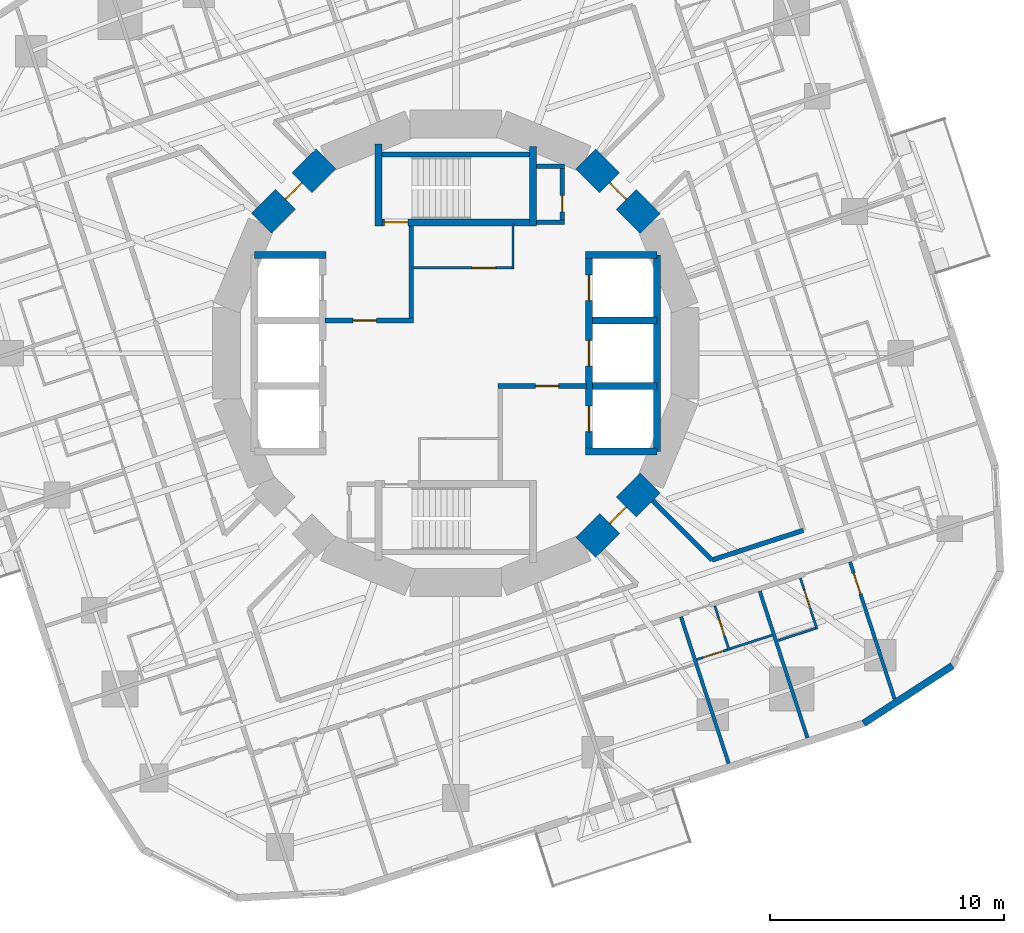
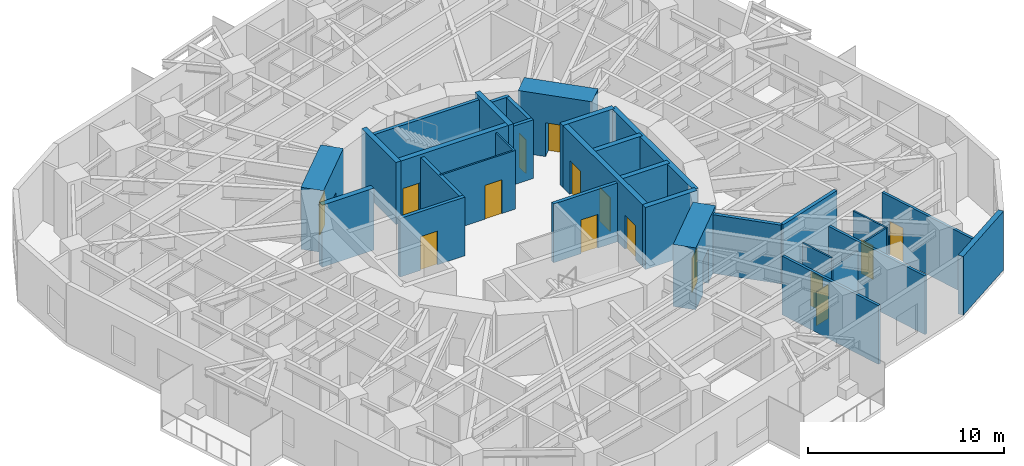
# One storey, part 7 of 13: 33 walls, 15 doors, 15 openings.
"""IFC4 building model written with IfcOpenShell, lengths in metres."""

from ifc_helpers import new_model, si_unit, direction, frame, frame_2d, origin, place, context, subcontext, project, spatial, rectangle, extrude, material, layer, layer_set, type_object, element, fill, save


model = new_model("IFC4")

# Units and contexts
model_context = context("Model", 3, precision=1e-05, world=origin(), true_north=direction((0.0, 1.0)))
body_context = subcontext(model_context, "Body", "Model", "MODEL_VIEW")
ifc_project = project(units=[si_unit("LENGTHUNIT", "METRE"), si_unit("AREAUNIT", "SQUARE_METRE"), si_unit("VOLUMEUNIT", "CUBIC_METRE"), si_unit("PLANEANGLEUNIT", "RADIAN"), si_unit("MASSUNIT", "GRAM", prefix="KILO")], contexts=[model_context])

# Site, building, storey
site_placement = place(None, origin())
site = spatial("IfcSite", under=ifc_project, at=site_placement, CompositionType="ELEMENT")
building_placement = place(site_placement, origin())
building = spatial("IfcBuilding", under=site, at=building_placement, Name="Nakasero Lantern House", CompositionType="ELEMENT")
storey_placement = place(building_placement, frame((0.0, 0.0, 161.050048828125)))
storey = spatial("IfcBuildingStorey", under=building, at=storey_placement, Name="L39", CompositionType="ELEMENT", Elevation=161.050048828125)

# Wall, openings, doors
ifc_material_1 = material(Name="Concrete C50/60", Category="concrete")
ifc_layer_1 = layer(ifc_material_1, 0.300048828125)
ifc_layer_set_1 = layer_set([ifc_layer_1], Name="Core inner wall 300")
wall_type_1 = type_object("IfcWallType", Name="Core inner wall 300", PredefinedType="SHEAR", material=ifc_layer_set_1)
wall_1_placement = place(storey_placement, frame((5.699951171875, -4.199951171875, 0.0), z_axis=(0.0, 0.0, 1.0), x_axis=(0.0, 1.0, 0.0)))
wall_1 = element("IfcWall", 1, at=wall_1_placement, inside=storey, type_object=wall_type_1, Name="Core inner wall L39 LE", PredefinedType="SHEAR", context=body_context, shape_type="SweptSolid", body=[
    extrude(rectangle(XDim=8.39990234375, YDim=0.300048828125, at=frame_2d((4.199951171875, 0.0))), origin(), (0.0, 0.0, 1.0), 3.849853515625),
])
opening_1_placement = place(wall_1_placement, frame((0.85009765625, 0.0, 0.0)))
opening_1 = element("IfcOpeningElement", 2, at=opening_1_placement, cuts=wall_1, Name="Opening LD", PredefinedType="OPENING", context=body_context, shape_type="SweptSolid", body=[
    extrude(rectangle(XDim=1.10009765625, YDim=2.10009765625, at=frame_2d((0.550048828125, 1.050048828125))), frame((0.0, 0.169921875, 0.0), z_axis=(0.0, -1.0, 0.0), x_axis=(1.0, 0.0, 0.0)), (0.0, 0.0, 1.0), 0.340087890625),
])
opening_2_placement = place(wall_1_placement, frame((3.64990234375, 0.0, 0.0)))
opening_2 = element("IfcOpeningElement", 3, at=opening_2_placement, cuts=wall_1, Name="Opening LD", PredefinedType="OPENING", context=body_context, shape_type="SweptSolid", body=[
    extrude(rectangle(XDim=1.10009765625, YDim=2.10009765625, at=frame_2d((0.550048828125, 1.050048828125))), frame((0.0, 0.169921875, 0.0), z_axis=(0.0, -1.0, 0.0), x_axis=(1.0, 0.0, 0.0)), (0.0, 0.0, 1.0), 0.340087890625),
])
opening_3_placement = place(wall_1_placement, frame((6.449951171875, 0.0, 0.0)))
opening_3 = element("IfcOpeningElement", 4, at=opening_3_placement, cuts=wall_1, Name="Opening LD", PredefinedType="OPENING", context=body_context, shape_type="SweptSolid", body=[
    extrude(rectangle(XDim=1.10009765625, YDim=2.10009765625, at=frame_2d((0.550048828125, 1.050048828125))), frame((0.0, 0.169921875, 0.0), z_axis=(0.0, -1.0, 0.0), x_axis=(1.0, 0.0, 0.0)), (0.0, 0.0, 1.0), 0.340087890625),
])
ifc_material_2 = material(Name="Steel S355", Category="steel")
door_type_1 = type_object("IfcDoorType", Name="Lift landing door E120 1100", OperationType="SLIDING_TO_LEFT", PredefinedType="DOOR", material=ifc_material_2)
door_1_placement = place(opening_1_placement, origin())
door_1 = element("IfcDoor", 5, at=door_1_placement, inside=storey, type_object=door_type_1, Name="Lift landing door LE1", OperationType="SLIDING_TO_LEFT", OverallHeight=2.10009765625, OverallWidth=1.10009765625, PredefinedType="DOOR", context=body_context, shape_type="SweptSolid", body=[
    extrude(rectangle(XDim=1.10009765625, YDim=2.10009765625, at=frame_2d((0.550048828125, 1.050048828125))), frame((0.0, 0.02490234375, 0.0), z_axis=(0.0, -1.0, 0.0), x_axis=(1.0, 0.0, 0.0)), (0.0, 0.0, 1.0), 0.050048828125),
])
fill(opening_1, door_1)
door_2_placement = place(opening_2_placement, origin())
door_2 = element("IfcDoor", 6, at=door_2_placement, inside=storey, type_object=door_type_1, Name="Lift landing door LE2", OperationType="SLIDING_TO_LEFT", OverallHeight=2.10009765625, OverallWidth=1.10009765625, PredefinedType="DOOR", context=body_context, shape_type="SweptSolid", body=[
    extrude(rectangle(XDim=1.10009765625, YDim=2.10009765625, at=frame_2d((0.550048828125, 1.050048828125))), frame((0.0, 0.02490234375, 0.0), z_axis=(0.0, -1.0, 0.0), x_axis=(1.0, 0.0, 0.0)), (0.0, 0.0, 1.0), 0.050048828125),
])
fill(opening_2, door_2)
door_3_placement = place(opening_3_placement, origin())
door_3 = element("IfcDoor", 7, at=door_3_placement, inside=storey, type_object=door_type_1, Name="Lift landing door LE3", OperationType="SLIDING_TO_LEFT", OverallHeight=2.10009765625, OverallWidth=1.10009765625, PredefinedType="DOOR", context=body_context, shape_type="SweptSolid", body=[
    extrude(rectangle(XDim=1.10009765625, YDim=2.10009765625, at=frame_2d((0.550048828125, 1.050048828125))), frame((0.0, 0.02490234375, 0.0), z_axis=(0.0, -1.0, 0.0), x_axis=(1.0, 0.0, 0.0)), (0.0, 0.0, 1.0), 0.050048828125),
])
fill(opening_3, door_3)

# Walls
for number, where, z_axis, x_axis, name in (
    (8, (-8.60009765625, 4.199951171875, 0.0), (0.0, 0.0, 1.0), (1.0, 0.0, 0.0), "Core inner wall L39 LWN"),
    (9, (5.550048828125, 4.199951171875, 0.0), (0.0, 0.0, 1.0), (1.0, 0.0, 0.0), "Core inner wall L39 LEN"),
    (10, (5.550048828125, -4.199951171875, 0.0), (0.0, 0.0, 1.0), (1.0, 0.0, 0.0), "Core inner wall L39 LES"),
):
    element("IfcWall", number, at=place(storey_placement, frame(where, z_axis=z_axis, x_axis=x_axis)), inside=storey, type_object=wall_type_1, Name=name, PredefinedType="SHEAR", context=body_context, shape_type="SweptSolid", body=[
        extrude(rectangle(XDim=3.050048828125, YDim=0.300048828125, at=frame_2d((1.52490234375, 0.0))), origin(), (0.0, 0.0, 1.0), 3.849853515625),
    ])
wall_2_placement = place(storey_placement, frame((8.60009765625, -4.199951171875, 0.0), z_axis=(0.0, 0.0, 1.0), x_axis=(0.0, 1.0, 0.0)))
element("IfcWall", 11, at=wall_2_placement, inside=storey, type_object=wall_type_1, Name="Core inner wall L39 LEB", PredefinedType="SHEAR", context=body_context, shape_type="SweptSolid", body=[
    extrude(rectangle(XDim=8.39990234375, YDim=0.300048828125, at=frame_2d((4.199951171875, 0.0))), origin(), (0.0, 0.0, 1.0), 3.849853515625),
])
for number, where, z_axis, x_axis, name in (
    (12, (5.85009765625, -1.39990234375, 0.0), (0.0, 0.0, 1.0), (1.0, 0.0, 0.0), "Core inner wall L39 LE1"),
    (13, (5.85009765625, 1.39990234375, 0.0), (0.0, 0.0, 1.0), (1.0, 0.0, 0.0), "Core inner wall L39 LE2"),
):
    element("IfcWall", number, at=place(storey_placement, frame(where, z_axis=z_axis, x_axis=x_axis)), inside=storey, type_object=wall_type_1, Name=name, PredefinedType="SHEAR", context=body_context, shape_type="SweptSolid", body=[
        extrude(rectangle(XDim=2.75, YDim=0.300048828125, at=frame_2d((1.375, 0.0))), origin(), (0.0, 0.0, 1.0), 3.849853515625),
    ])

# Wall, opening, door
wall_3_placement = place(storey_placement, frame((-3.449951171875, 5.60009765625, 0.0), z_axis=(0.0, 0.0, 1.0), x_axis=(1.0, 0.0, 0.0)))
wall_3 = element("IfcWall", 14, at=wall_3_placement, inside=storey, type_object=wall_type_1, Name="Core inner wall L39 SN", PredefinedType="SHEAR", context=body_context, shape_type="SweptSolid", body=[
    extrude(rectangle(XDim=6.89990234375, YDim=0.300048828125, at=frame_2d((3.449951171875, 0.0))), origin(), (0.0, 0.0, 1.0), 3.849853515625),
])
opening_4_placement = place(wall_3_placement, frame((0.39990234375, 0.0, 0.0)))
opening_4 = element("IfcOpeningElement", 15, at=opening_4_placement, cuts=wall_3, Name="Opening D05", PredefinedType="OPENING", context=body_context, shape_type="SweptSolid", body=[
    extrude(rectangle(XDim=1.0, YDim=2.10009765625, at=frame_2d((0.5, 1.050048828125))), frame((0.0, 0.169921875, 0.0), z_axis=(0.0, -1.0, 0.0), x_axis=(1.0, 0.0, 0.0)), (0.0, 0.0, 1.0), 0.340087890625),
])
ifc_material_3 = material(Name="Timber C24", Category="wood")
door_type_2 = type_object("IfcDoorType", Name="Core door FD60S 1000", OperationType="SINGLE_SWING_LEFT", PredefinedType="DOOR", material=ifc_material_3)
door_4_placement = place(opening_4_placement, origin())
door_4 = element("IfcDoor", 16, at=door_4_placement, inside=storey, type_object=door_type_2, Name="Door L39 D-ST1", OperationType="SINGLE_SWING_LEFT", OverallHeight=2.10009765625, OverallWidth=1.0, PredefinedType="DOOR", context=body_context, shape_type="SweptSolid", body=[
    extrude(rectangle(XDim=1.0, YDim=2.10009765625, at=frame_2d((0.5, 1.050048828125))), frame((0.0, 0.02490234375, 0.0), z_axis=(0.0, -1.0, 0.0), x_axis=(1.0, 0.0, 0.0)), (0.0, 0.0, 1.0), 0.050048828125),
])
fill(opening_4, door_4)

# Walls
wall_4_placement = place(storey_placement, frame((-3.300048828125, 5.449951171875, 0.0), z_axis=(0.0, 0.0, 1.0), x_axis=(0.0, 1.0, 0.0)))
element("IfcWall", 17, at=wall_4_placement, inside=storey, type_object=wall_type_1, Name="Core inner wall L39 SNW", PredefinedType="SHEAR", context=body_context, shape_type="SweptSolid", body=[
    extrude(rectangle(XDim=3.5, YDim=0.300048828125, at=frame_2d((1.75, 0.0))), origin(), (0.0, 0.0, 1.0), 3.849853515625),
])
wall_5_placement = place(storey_placement, frame((3.300048828125, 5.449951171875, 0.0), z_axis=(0.0, 0.0, 1.0), x_axis=(0.0, 1.0, 0.0)))
element("IfcWall", 18, at=wall_5_placement, inside=storey, type_object=wall_type_1, Name="Core inner wall L39 SNE", PredefinedType="SHEAR", context=body_context, shape_type="SweptSolid", body=[
    extrude(rectangle(XDim=3.400146484375, YDim=0.300048828125, at=frame_2d((1.7001953125, 0.0))), origin(), (0.0, 0.0, 1.0), 3.849853515625),
])

# Wall, opening, door
ifc_material_4 = material(Name="Blockwork", Category="masonry")
ifc_layer_2 = layer(ifc_material_4, 0.10009765625)
ifc_layer_set_2 = layer_set([ifc_layer_2], Name="Core room wall 100")
wall_type_2 = type_object("IfcWallType", Name="Core room wall 100", PredefinedType="PARTITIONING", material=ifc_layer_set_2)
wall_6_placement = place(storey_placement, frame((-1.89990234375, 3.64990234375, 0.0), z_axis=(0.0, 0.0, 1.0), x_axis=(1.0, 0.0, 0.0)))
wall_6 = element("IfcWall", 19, at=wall_6_placement, inside=storey, type_object=wall_type_2, Name="Core room wall L39 CR-NES", PredefinedType="PARTITIONING", context=body_context, shape_type="SweptSolid", body=[
    extrude(rectangle(XDim=4.39990234375, YDim=0.10009765625, at=frame_2d((2.199951171875, 0.0))), origin(), (0.0, 0.0, 1.0), 3.64990234375),
])
opening_5_placement = place(wall_6_placement, frame((2.60009765625, 0.0, 0.0)))
opening_5 = element("IfcOpeningElement", 20, at=opening_5_placement, cuts=wall_6, Name="Opening D07", PredefinedType="OPENING", context=body_context, shape_type="SweptSolid", body=[
    extrude(rectangle(XDim=1.0, YDim=2.10009765625, at=frame_2d((0.5, 1.050048828125))), frame((0.0, 0.070068359375, 0.0), z_axis=(0.0, -1.0, 0.0), x_axis=(1.0, 0.0, 0.0)), (0.0, 0.0, 1.0), 0.14013671875),
])
ifc_material_5 = material(Name="Timber C24", Category="wood")
door_type_3 = type_object("IfcDoorType", Name="Room door FD30S 1000", OperationType="SINGLE_SWING_LEFT", PredefinedType="DOOR", material=ifc_material_5)
door_5_placement = place(opening_5_placement, origin())
door_5 = element("IfcDoor", 21, at=door_5_placement, inside=storey, type_object=door_type_3, Name="Door L39 D-CR-NE", OperationType="SINGLE_SWING_RIGHT", OverallHeight=2.10009765625, OverallWidth=1.0, PredefinedType="DOOR", context=body_context, shape_type="SweptSolid", body=[
    extrude(rectangle(XDim=1.0, YDim=2.10009765625, at=frame_2d((0.5, 1.050048828125))), frame((0.0, 0.02490234375, 0.0), z_axis=(0.0, -1.0, 0.0), x_axis=(1.0, 0.0, 0.0)), (0.0, 0.0, 1.0), 0.050048828125),
])
fill(opening_5, door_5)

# Wall
wall_7_placement = place(storey_placement, frame((2.449951171875, 3.60009765625, 0.0), z_axis=(0.0, 0.0, 1.0), x_axis=(0.0, 1.0, 0.0)))
element("IfcWall", 22, at=wall_7_placement, inside=storey, type_object=wall_type_2, Name="Core room wall L39 CR-NEE", PredefinedType="PARTITIONING", context=body_context, shape_type="SweptSolid", body=[
    extrude(rectangle(XDim=1.949951171875, YDim=0.10009765625, at=frame_2d((0.97509765625, 0.0))), origin(), (0.0, 0.0, 1.0), 3.64990234375),
])

# Wall, opening, door
ifc_material_6 = material(Name="Concrete C50/60", Category="concrete")
ifc_layer_3 = layer(ifc_material_6, 1.199951171875)
ifc_layer_set_3 = layer_set([ifc_layer_3], Name="Core wall 1200")
wall_type_3 = type_object("IfcWallType", Name="Core wall 1200", PredefinedType="SHEAR", material=ifc_layer_set_3)
wall_8_placement = place(storey_placement, frame((8.314697265625, 5.5556640625, 0.0), z_axis=(0.0, 0.0, 1.0), x_axis=(-0.707106781187, 0.707106781187, 0.0)))
wall_8 = element("IfcWall", 23, at=wall_8_placement, inside=storey, type_object=wall_type_3, Name="Core wall L39 facet 2", PredefinedType="SHEAR", context=body_context, shape_type="SweptSolid", body=[
    extrude(rectangle(XDim=3.90185546875, YDim=1.199951171875, at=frame_2d((1.950927734375, 0.0))), origin(), (0.0, 0.0, 1.0), 3.849853515625),
])
opening_6_placement = place(wall_8_placement, frame((1.450927734375, 0.0, 0.0)))
opening_6 = element("IfcOpeningElement", 24, at=opening_6_placement, cuts=wall_8, Name="Opening D05", PredefinedType="OPENING", context=body_context, shape_type="SweptSolid", body=[
    extrude(rectangle(XDim=1.0, YDim=2.10009765625, at=frame_2d((0.5, 1.050048828125))), frame((0.0, 0.619873046875, 0.0), z_axis=(0.0, -1.0, 0.0), x_axis=(1.0, 0.0, 0.0)), (0.0, 0.0, 1.0), 1.239990234375),
])
door_6_placement = place(opening_6_placement, origin())
door_6 = element("IfcDoor", 25, at=door_6_placement, inside=storey, type_object=door_type_2, Name="Door L39 D-CORE02", OperationType="SINGLE_SWING_LEFT", OverallHeight=2.10009765625, OverallWidth=1.0, PredefinedType="DOOR", context=body_context, shape_type="SweptSolid", body=[
    extrude(rectangle(XDim=1.0, YDim=2.10009765625, at=frame_2d((0.5, 1.050048828125))), frame((0.0, 0.02490234375, 0.0), z_axis=(0.0, -1.0, 0.0), x_axis=(1.0, 0.0, 0.0)), (0.0, 0.0, 1.0), 0.050048828125),
])
fill(opening_6, door_6)

wall_9_placement = place(storey_placement, frame((-5.5556640625, 8.314697265625, 0.0), z_axis=(0.0, 0.0, 1.0), x_axis=(-0.707106781187, -0.707106781187, 0.0)))
wall_9 = element("IfcWall", 26, at=wall_9_placement, inside=storey, type_object=wall_type_3, Name="Core wall L39 facet 6", PredefinedType="SHEAR", context=body_context, shape_type="SweptSolid", body=[
    extrude(rectangle(XDim=3.90185546875, YDim=1.199951171875, at=frame_2d((1.950927734375, 0.0))), origin(), (0.0, 0.0, 1.0), 3.849853515625),
])
opening_7_placement = place(wall_9_placement, frame((1.450927734375, 0.0, 0.0)))
opening_7 = element("IfcOpeningElement", 27, at=opening_7_placement, cuts=wall_9, Name="Opening D05", PredefinedType="OPENING", context=body_context, shape_type="SweptSolid", body=[
    extrude(rectangle(XDim=1.0, YDim=2.10009765625, at=frame_2d((0.5, 1.050048828125))), frame((0.0, 0.619873046875, 0.0), z_axis=(0.0, -1.0, 0.0), x_axis=(1.0, 0.0, 0.0)), (0.0, 0.0, 1.0), 1.239990234375),
])
door_7_placement = place(opening_7_placement, origin())
door_7 = element("IfcDoor", 28, at=door_7_placement, inside=storey, type_object=door_type_2, Name="Door L39 D-CORE06", OperationType="SINGLE_SWING_LEFT", OverallHeight=2.10009765625, OverallWidth=1.0, PredefinedType="DOOR", context=body_context, shape_type="SweptSolid", body=[
    extrude(rectangle(XDim=1.0, YDim=2.10009765625, at=frame_2d((0.5, 1.050048828125))), frame((0.0, 0.02490234375, 0.0), z_axis=(0.0, -1.0, 0.0), x_axis=(1.0, 0.0, 0.0)), (0.0, 0.0, 1.0), 0.050048828125),
])
fill(opening_7, door_7)

wall_10_placement = place(storey_placement, frame((5.5556640625, -8.314697265625, 0.0), z_axis=(0.0, 0.0, 1.0), x_axis=(0.707106781187, 0.707106781187, 0.0)))
wall_10 = element("IfcWall", 29, at=wall_10_placement, inside=storey, type_object=wall_type_3, Name="Core wall L39 facet 14", PredefinedType="SHEAR", context=body_context, shape_type="SweptSolid", body=[
    extrude(rectangle(XDim=3.90185546875, YDim=1.199951171875, at=frame_2d((1.950927734375, 0.0))), origin(), (0.0, 0.0, 1.0), 3.849853515625),
])
opening_8_placement = place(wall_10_placement, frame((1.450927734375, 0.0, 0.0)))
opening_8 = element("IfcOpeningElement", 30, at=opening_8_placement, cuts=wall_10, Name="Opening D05", PredefinedType="OPENING", context=body_context, shape_type="SweptSolid", body=[
    extrude(rectangle(XDim=1.0, YDim=2.10009765625, at=frame_2d((0.5, 1.050048828125))), frame((0.0, 0.619873046875, 0.0), z_axis=(0.0, -1.0, 0.0), x_axis=(1.0, 0.0, 0.0)), (0.0, 0.0, 1.0), 1.239990234375),
])
door_8_placement = place(opening_8_placement, origin())
door_8 = element("IfcDoor", 31, at=door_8_placement, inside=storey, type_object=door_type_2, Name="Door L39 D-CORE14", OperationType="SINGLE_SWING_LEFT", OverallHeight=2.10009765625, OverallWidth=1.0, PredefinedType="DOOR", context=body_context, shape_type="SweptSolid", body=[
    extrude(rectangle(XDim=1.0, YDim=2.10009765625, at=frame_2d((0.5, 1.050048828125))), frame((0.0, 0.02490234375, 0.0), z_axis=(0.0, -1.0, 0.0), x_axis=(1.0, 0.0, 0.0)), (0.0, 0.0, 1.0), 0.050048828125),
])
fill(opening_8, door_8)

# Walls
ifc_material_7 = material(Name="Blockwork", Category="masonry")
ifc_layer_4 = layer(ifc_material_7, 0.199951171875)
ifc_layer_set_4 = layer_set([ifc_layer_4], Name="Corridor wall 200")
wall_type_4 = type_object("IfcWallType", Name="Corridor wall 200", PredefinedType="PARTITIONING", material=ifc_layer_set_4)
wall_11_placement = place(storey_placement, frame((10.965576171875, -8.84423828125, 0.0), z_axis=(0.0, 0.0, 1.0), x_axis=(0.951070782935, 0.308973082722, 0.0)))
element("IfcWall", 32, at=wall_11_placement, inside=storey, type_object=wall_type_4, Name="Corridor wall L39 IW3-1", PredefinedType="PARTITIONING", context=body_context, shape_type="SweptSolid", body=[
    extrude(rectangle(XDim=4.104248046875, YDim=0.199951171875, at=frame_2d((2.05224609375, 0.0))), origin(), (0.0, 0.0, 1.0), 3.64990234375),
])
wall_12_placement = place(storey_placement, frame((8.420166015625, -6.298828125, 0.0), z_axis=(0.0, 0.0, 1.0), x_axis=(0.707106781187, -0.707106781187, 0.0)))
element("IfcWall", 33, at=wall_12_placement, inside=storey, type_object=wall_type_4, Name="Corridor wall L39 PS14a", PredefinedType="PARTITIONING", context=body_context, shape_type="SweptSolid", body=[
    extrude(rectangle(XDim=3.599853515625, YDim=0.199951171875, at=frame_2d((1.7998046875, 0.0))), origin(), (0.0, 0.0, 1.0), 3.64990234375),
])

# Wall, opening, door
ifc_material_8 = material(Name="Blockwork", Category="masonry")
ifc_layer_5 = layer(ifc_material_8, 0.10009765625)
ifc_layer_set_5 = layer_set([ifc_layer_5], Name="En-suite wall 100")
wall_type_5 = type_object("IfcWallType", Name="En-suite wall 100", PredefinedType="PARTITIONING", material=ifc_layer_set_5)
wall_13_placement = place(storey_placement, frame((11.07861328125, -10.805419921875, 0.0), z_axis=(0.0, 0.0, 1.0), x_axis=(0.309077791808, -0.951036759863, 0.0)))
wall_13 = element("IfcWall", 34, at=wall_13_placement, inside=storey, type_object=wall_type_5, Name="En-suite wall L39 ES3-05", PredefinedType="PARTITIONING", context=body_context, shape_type="SweptSolid", body=[
    extrude(rectangle(XDim=2.0, YDim=0.10009765625, at=frame_2d((1.0, 0.0))), origin(), (0.0, 0.0, 1.0), 3.64990234375),
])
opening_9_placement = place(wall_13_placement, frame((0.550048828125, 0.0, 0.0)))
opening_9 = element("IfcOpeningElement", 35, at=opening_9_placement, cuts=wall_13, Name="Opening D02", PredefinedType="OPENING", context=body_context, shape_type="SweptSolid", body=[
    extrude(rectangle(XDim=0.800048828125, YDim=2.10009765625, at=frame_2d((0.39990234375, 1.050048828125))), frame((0.0, 0.070068359375, 0.0), z_axis=(0.0, -1.0, 0.0), x_axis=(1.0, 0.0, 0.0)), (0.0, 0.0, 1.0), 0.14013671875),
])
ifc_material_9 = material(Name="Timber C24", Category="wood")
door_type_4 = type_object("IfcDoorType", Name="En-suite door 800", OperationType="SINGLE_SWING_RIGHT", PredefinedType="DOOR", material=ifc_material_9)
door_9_placement = place(opening_9_placement, origin())
door_9 = element("IfcDoor", 36, at=door_9_placement, inside=storey, type_object=door_type_4, Name="Door L39 DE3-05", OperationType="SINGLE_SWING_LEFT", OverallHeight=2.10009765625, OverallWidth=0.800048828125, PredefinedType="DOOR", context=body_context, shape_type="SweptSolid", body=[
    extrude(rectangle(XDim=0.800048828125, YDim=2.10009765625, at=frame_2d((0.39990234375, 1.050048828125))), frame((0.0, 0.02490234375, 0.0), z_axis=(0.0, -1.0, 0.0), x_axis=(1.0, 0.0, 0.0)), (0.0, 0.0, 1.0), 0.050048828125),
])
fill(opening_9, door_9)

# Wall
wall_14_placement = place(storey_placement, frame((11.728759765625, -12.64453125, 0.0), z_axis=(0.0, 0.0, 1.0), x_axis=(0.951058615481, 0.309010533671, 0.0)))
element("IfcWall", 37, at=wall_14_placement, inside=storey, type_object=wall_type_5, Name="En-suite wall L39 EE3-05", PredefinedType="PARTITIONING", context=body_context, shape_type="SweptSolid", body=[
    extrude(rectangle(XDim=1.900146484375, YDim=0.10009765625, at=frame_2d((0.9501953125, 0.0))), origin(), (0.0, 0.0, 1.0), 3.037841796875),
])

# Wall, opening, door
wall_15_placement = place(storey_placement, frame((14.740234375, -9.61572265625, 0.0), z_axis=(0.0, 0.0, 1.0), x_axis=(0.309021261611, -0.951055129775, 0.0)))
wall_15 = element("IfcWall", 38, at=wall_15_placement, inside=storey, type_object=wall_type_5, Name="En-suite wall L39 ES3-06", PredefinedType="PARTITIONING", context=body_context, shape_type="SweptSolid", body=[
    extrude(rectangle(XDim=2.2998046875, YDim=0.10009765625, at=frame_2d((1.14990234375, 0.0))), origin(), (0.0, 0.0, 1.0), 3.64990234375),
])
opening_10_placement = place(wall_15_placement, frame((0.550048828125, 0.0, 0.0)))
opening_10 = element("IfcOpeningElement", 39, at=opening_10_placement, cuts=wall_15, Name="Opening D02", PredefinedType="OPENING", context=body_context, shape_type="SweptSolid", body=[
    extrude(rectangle(XDim=0.800048828125, YDim=2.10009765625, at=frame_2d((0.39990234375, 1.050048828125))), frame((0.0, 0.070068359375, 0.0), z_axis=(0.0, -1.0, 0.0), x_axis=(1.0, 0.0, 0.0)), (0.0, 0.0, 1.0), 0.14013671875),
])
door_10_placement = place(opening_10_placement, origin())
door_10 = element("IfcDoor", 40, at=door_10_placement, inside=storey, type_object=door_type_4, Name="Door L39 DE3-06", OperationType="SINGLE_SWING_LEFT", OverallHeight=2.10009765625, OverallWidth=0.800048828125, PredefinedType="DOOR", context=body_context, shape_type="SweptSolid", body=[
    extrude(rectangle(XDim=0.800048828125, YDim=2.10009765625, at=frame_2d((0.39990234375, 1.050048828125))), frame((0.0, 0.02490234375, 0.0), z_axis=(0.0, -1.0, 0.0), x_axis=(1.0, 0.0, 0.0)), (0.0, 0.0, 1.0), 0.050048828125),
])
fill(opening_10, door_10)

# Wall
wall_16_placement = place(storey_placement, frame((13.771240234375, -12.29638671875, 0.0), z_axis=(0.0, 0.0, 1.0), x_axis=(0.951040401051, 0.309066587596, 0.0)))
element("IfcWall", 41, at=wall_16_placement, inside=storey, type_object=wall_type_5, Name="En-suite wall L39 EE3-06", PredefinedType="PARTITIONING", context=body_context, shape_type="SweptSolid", body=[
    extrude(rectangle(XDim=1.699951171875, YDim=0.10009765625, at=frame_2d((0.85009765625, 0.0))), origin(), (0.0, 0.0, 1.0), 3.64990234375),
])

# Wall, opening, door
wall_17_placement = place(storey_placement, frame((10.3076171875, -13.106201171875, 0.0), z_axis=(0.0, 0.0, 1.0), x_axis=(0.95105465306, 0.309022728765, 0.0)))
wall_17 = element("IfcWall", 42, at=wall_17_placement, inside=storey, type_object=wall_type_5, Name="En-suite wall L39 EL3-05", PredefinedType="PARTITIONING", context=body_context, shape_type="SweptSolid", body=[
    extrude(rectangle(XDim=1.39453125, YDim=0.10009765625, at=frame_2d((0.697265625, 0.0))), origin(), (0.0, 0.0, 1.0), 3.037841796875),
])
opening_11_placement = place(wall_17_placement, frame((0.294189453125, 0.0, 0.0)))
opening_11 = element("IfcOpeningElement", 43, at=opening_11_placement, cuts=wall_17, Name="Opening D17", PredefinedType="OPENING", context=body_context, shape_type="SweptSolid", body=[
    extrude(rectangle(XDim=0.89990234375, YDim=2.10009765625, at=frame_2d((0.449951171875, 1.050048828125))), frame((0.0, 0.070068359375, 0.0), z_axis=(0.0, -1.0, 0.0), x_axis=(1.0, 0.0, 0.0)), (0.0, 0.0, 1.0), 0.14013671875),
])
ifc_material_10 = material(Name="Timber C24", Category="wood")
door_type_5 = type_object("IfcDoorType", Name="Bedroom door FD30S 900", OperationType="SINGLE_SWING_LEFT", PredefinedType="DOOR", material=ifc_material_10)
door_11_placement = place(opening_11_placement, origin())
door_11 = element("IfcDoor", 44, at=door_11_placement, inside=storey, type_object=door_type_5, Name="Door L39 DL3-05", OperationType="SINGLE_SWING_RIGHT", OverallHeight=2.10009765625, OverallWidth=0.89990234375, PredefinedType="DOOR", context=body_context, shape_type="SweptSolid", body=[
    extrude(rectangle(XDim=0.89990234375, YDim=2.10009765625, at=frame_2d((0.449951171875, 1.050048828125))), frame((0.0, 0.02490234375, 0.0), z_axis=(0.0, -1.0, 0.0), x_axis=(1.0, 0.0, 0.0)), (0.0, 0.0, 1.0), 0.050048828125),
])
fill(opening_11, door_11)

# Wall
ifc_material_11 = material(Name="Aluminium rainscreen on blockwork", Category="masonry")
ifc_layer_6 = layer(ifc_material_11, 0.300048828125)
ifc_layer_set_6 = layer_set([ifc_layer_6], Name="Facade wall 300")
wall_type_6 = type_object("IfcWallType", Name="Facade wall 300", PredefinedType="SOLIDWALL", material=ifc_layer_set_6)
wall_18_placement = place(storey_placement, frame((17.44677734375, -15.83349609375, 0.0), z_axis=(0.0, 0.0, 1.0), x_axis=(0.838673836229, 0.544634002266, 0.0)))
element("IfcWall", 45, at=wall_18_placement, inside=storey, type_object=wall_type_6, Name="Facade wall L39 FW3C1", PredefinedType="SOLIDWALL", context=body_context, shape_type="SweptSolid", body=[
    extrude(rectangle(XDim=4.529296875, YDim=0.300048828125, at=frame_2d((2.2646484375, 0.0))), origin(), (0.0, 0.0, 1.0), 3.64990234375),
])

# Wall, opening, door
ifc_material_12 = material(Name="Blockwork", Category="masonry")
ifc_layer_7 = layer(ifc_material_12, 0.199951171875)
ifc_layer_set_7 = layer_set([ifc_layer_7], Name="Fire lobby wall 200")
wall_type_7 = type_object("IfcWallType", Name="Fire lobby wall 200", PredefinedType="PARTITIONING", material=ifc_layer_set_7)
wall_19_placement = place(storey_placement, frame((-5.60009765625, 1.39990234375, 0.0), z_axis=(0.0, 0.0, 1.0), x_axis=(1.0, 0.0, 0.0)))
wall_19 = element("IfcWall", 46, at=wall_19_placement, inside=storey, type_object=wall_type_7, Name="Fire lobby wall L39 W-FL1S", PredefinedType="PARTITIONING", context=body_context, shape_type="SweptSolid", body=[
    extrude(rectangle(XDim=3.800048828125, YDim=0.199951171875, at=frame_2d((1.89990234375, 0.0))), origin(), (0.0, 0.0, 1.0), 3.64990234375),
])
opening_12_placement = place(wall_19_placement, frame((1.199951171875, 0.0, 0.0)))
opening_12 = element("IfcOpeningElement", 47, at=opening_12_placement, cuts=wall_19, Name="Opening D05", PredefinedType="OPENING", context=body_context, shape_type="SweptSolid", body=[
    extrude(rectangle(XDim=1.0, YDim=2.10009765625, at=frame_2d((0.5, 1.050048828125))), frame((0.0, 0.119873046875, 0.0), z_axis=(0.0, -1.0, 0.0), x_axis=(1.0, 0.0, 0.0)), (0.0, 0.0, 1.0), 0.239990234375),
])
door_12_placement = place(opening_12_placement, origin())
door_12 = element("IfcDoor", 48, at=door_12_placement, inside=storey, type_object=door_type_2, Name="Door L39 D-FL1", OperationType="SINGLE_SWING_LEFT", OverallHeight=2.10009765625, OverallWidth=1.0, PredefinedType="DOOR", context=body_context, shape_type="SweptSolid", body=[
    extrude(rectangle(XDim=1.0, YDim=2.10009765625, at=frame_2d((0.5, 1.050048828125))), frame((0.0, 0.02490234375, 0.0), z_axis=(0.0, -1.0, 0.0), x_axis=(1.0, 0.0, 0.0)), (0.0, 0.0, 1.0), 0.050048828125),
])
fill(opening_12, door_12)

# Wall
wall_20_placement = place(storey_placement, frame((-1.89990234375, 1.5, 0.0), z_axis=(0.0, 0.0, 1.0), x_axis=(0.0, 1.0, 0.0)))
element("IfcWall", 49, at=wall_20_placement, inside=storey, type_object=wall_type_7, Name="Fire lobby wall L39 W-FL1E", PredefinedType="PARTITIONING", context=body_context, shape_type="SweptSolid", body=[
    extrude(rectangle(XDim=3.949951171875, YDim=0.199951171875, at=frame_2d((1.97509765625, 0.0))), origin(), (0.0, 0.0, 1.0), 3.64990234375),
])

# Wall, opening, door
wall_21_placement = place(storey_placement, frame((5.60009765625, -1.39990234375, 0.0), z_axis=(0.0, 0.0, 1.0), x_axis=(-1.0, 0.0, 0.0)))
wall_21 = element("IfcWall", 50, at=wall_21_placement, inside=storey, type_object=wall_type_7, Name="Fire lobby wall L39 W-FL2N", PredefinedType="PARTITIONING", context=body_context, shape_type="SweptSolid", body=[
    extrude(rectangle(XDim=3.800048828125, YDim=0.199951171875, at=frame_2d((1.89990234375, 0.0))), origin(), (0.0, 0.0, 1.0), 3.64990234375),
])
opening_13_placement = place(wall_21_placement, frame((1.199951171875, 0.0, 0.0)))
opening_13 = element("IfcOpeningElement", 51, at=opening_13_placement, cuts=wall_21, Name="Opening D05", PredefinedType="OPENING", context=body_context, shape_type="SweptSolid", body=[
    extrude(rectangle(XDim=1.0, YDim=2.10009765625, at=frame_2d((0.5, 1.050048828125))), frame((0.0, 0.119873046875, 0.0), z_axis=(0.0, -1.0, 0.0), x_axis=(1.0, 0.0, 0.0)), (0.0, 0.0, 1.0), 0.239990234375),
])
door_13_placement = place(opening_13_placement, origin())
door_13 = element("IfcDoor", 52, at=door_13_placement, inside=storey, type_object=door_type_2, Name="Door L39 D-FL2", OperationType="SINGLE_SWING_LEFT", OverallHeight=2.10009765625, OverallWidth=1.0, PredefinedType="DOOR", context=body_context, shape_type="SweptSolid", body=[
    extrude(rectangle(XDim=1.0, YDim=2.10009765625, at=frame_2d((0.5, 1.050048828125))), frame((0.0, 0.02490234375, 0.0), z_axis=(0.0, -1.0, 0.0), x_axis=(1.0, 0.0, 0.0)), (0.0, 0.0, 1.0), 0.050048828125),
])
fill(opening_13, door_13)

wall_22_placement = place(storey_placement, frame((4.550048828125, 5.60009765625, 0.0), z_axis=(0.0, 0.0, 1.0), x_axis=(0.0, 1.0, 0.0)))
wall_22 = element("IfcWall", 53, at=wall_22_placement, inside=storey, type_object=wall_type_7, Name="Fire lobby wall L39 W-RS1E", PredefinedType="PARTITIONING", context=body_context, shape_type="SweptSolid", body=[
    extrude(rectangle(XDim=2.39990234375, YDim=0.199951171875, at=frame_2d((1.199951171875, 0.0))), origin(), (0.0, 0.0, 1.0), 3.64990234375),
])
opening_14_placement = place(wall_22_placement, frame((0.449951171875, 0.0, 0.0)))
opening_14 = element("IfcOpeningElement", 54, at=opening_14_placement, cuts=wall_22, Name="Opening D06", PredefinedType="OPENING", context=body_context, shape_type="SweptSolid", body=[
    extrude(rectangle(XDim=0.699951171875, YDim=2.10009765625, at=frame_2d((0.35009765625, 1.050048828125))), frame((0.0, 0.119873046875, 0.0), z_axis=(0.0, -1.0, 0.0), x_axis=(1.0, 0.0, 0.0)), (0.0, 0.0, 1.0), 0.239990234375),
])
ifc_material_13 = material(Name="Steel S355", Category="steel")
door_type_6 = type_object("IfcDoorType", Name="Riser door FD60 700", OperationType="SINGLE_SWING_LEFT", PredefinedType="DOOR", material=ifc_material_13)
door_14_placement = place(opening_14_placement, origin())
door_14 = element("IfcDoor", 55, at=door_14_placement, inside=storey, type_object=door_type_6, Name="Door L39 D-RS1", OperationType="SINGLE_SWING_LEFT", OverallHeight=2.10009765625, OverallWidth=0.699951171875, PredefinedType="DOOR", context=body_context, shape_type="SweptSolid", body=[
    extrude(rectangle(XDim=0.699951171875, YDim=2.10009765625, at=frame_2d((0.35009765625, 1.050048828125))), frame((0.0, 0.02490234375, 0.0), z_axis=(0.0, -1.0, 0.0), x_axis=(1.0, 0.0, 0.0)), (0.0, 0.0, 1.0), 0.050048828125),
])
fill(opening_14, door_14)

# Walls
for number, where, z_axis, x_axis, name in (
    (56, (3.449951171875, 8.0, 0.0), (0.0, 0.0, 1.0), (1.0, 0.0, 0.0), "Fire lobby wall L39 W-RS1N"),
    (57, (3.449951171875, 5.60009765625, 0.0), (0.0, 0.0, 1.0), (1.0, 0.0, 0.0), "Fire lobby wall L39 W-RS1S"),
):
    element("IfcWall", number, at=place(storey_placement, frame(where, z_axis=z_axis, x_axis=x_axis)), inside=storey, type_object=wall_type_7, Name=name, PredefinedType="PARTITIONING", context=body_context, shape_type="SweptSolid", body=[
        extrude(rectangle(XDim=1.199951171875, YDim=0.199951171875, at=frame_2d((0.60009765625, 0.0))), origin(), (0.0, 0.0, 1.0), 3.64990234375),
    ])
wall_23_placement = place(storey_placement, frame((-3.300048828125, 8.5, 0.0), z_axis=(0.0, 0.0, 1.0), x_axis=(1.0, 0.0, 0.0)))
element("IfcWall", 58, at=wall_23_placement, inside=storey, type_object=wall_type_7, Name="Fire lobby wall L39 W-STN", PredefinedType="PARTITIONING", context=body_context, shape_type="SweptSolid", body=[
    extrude(rectangle(XDim=6.60009765625, YDim=0.199951171875, at=frame_2d((3.300048828125, 0.0))), origin(), (0.0, 0.0, 1.0), 3.64990234375),
])
ifc_material_14 = material(Name="Blockwork", Category="masonry")
ifc_layer_8 = layer(ifc_material_14, 0.14990234375)
ifc_layer_set_8 = layer_set([ifc_layer_8], Name="Party wall 150")
wall_type_8 = type_object("IfcWallType", Name="Party wall 150", PredefinedType="PARTITIONING", material=ifc_layer_set_8)
for number, where, z_axis, x_axis, name in (
    (59, (9.6337890625, -11.27490234375, 0.0), (0.0, 0.0, 1.0), (0.309027520945, -0.951053095941, 0.0), "Party wall L39 PW3-05"),
    (60, (13.004638671875, -10.1796875, 0.0), (0.0, 0.0, 1.0), (0.309027520945, -0.951053095941, 0.0), "Party wall L39 PW3-06"),
):
    element("IfcWall", number, at=place(storey_placement, frame(where, z_axis=z_axis, x_axis=x_axis)), inside=storey, type_object=wall_type_8, Name=name, PredefinedType="PARTITIONING", context=body_context, shape_type="SweptSolid", body=[
        extrude(rectangle(XDim=6.599853515625, YDim=0.14990234375, at=frame_2d((3.2998046875, 0.0))), origin(), (0.0, 0.0, 1.0), 3.64990234375),
    ])

# Wall, opening, door
wall_24_placement = place(storey_placement, frame((16.8662109375, -8.9248046875, 0.0), z_axis=(0.0, 0.0, 1.0), x_axis=(0.309031452366, -0.951051818488, 0.0)))
wall_24 = element("IfcWall", 61, at=wall_24_placement, inside=storey, type_object=wall_type_8, Name="Party wall L39 PC3", PredefinedType="PARTITIONING", context=body_context, shape_type="SweptSolid", body=[
    extrude(rectangle(XDim=6.165283203125, YDim=0.14990234375, at=frame_2d((3.08251953125, 0.0))), origin(), (0.0, 0.0, 1.0), 3.64990234375),
])
opening_15_placement = place(wall_24_placement, frame((0.5, 0.0, 0.0)))
opening_15 = element("IfcOpeningElement", 62, at=opening_15_placement, cuts=wall_24, Name="Opening D01", PredefinedType="OPENING", context=body_context, shape_type="SweptSolid", body=[
    extrude(rectangle(XDim=0.949951171875, YDim=2.10009765625, at=frame_2d((0.47509765625, 1.050048828125))), frame((0.0, 0.094970703125, 0.0), z_axis=(0.0, -1.0, 0.0), x_axis=(1.0, 0.0, 0.0)), (0.0, 0.0, 1.0), 0.18994140625),
])
ifc_material_15 = material(Name="Timber C24", Category="wood")
door_type_7 = type_object("IfcDoorType", Name="Bedroom door FD30S 950", OperationType="SINGLE_SWING_LEFT", PredefinedType="DOOR", material=ifc_material_15)
door_15_placement = place(opening_15_placement, origin())
door_15 = element("IfcDoor", 63, at=door_15_placement, inside=storey, type_object=door_type_7, Name="Door L39 DC3", OperationType="SINGLE_SWING_LEFT", OverallHeight=2.10009765625, OverallWidth=0.949951171875, PredefinedType="DOOR", context=body_context, shape_type="SweptSolid", body=[
    extrude(rectangle(XDim=0.949951171875, YDim=2.10009765625, at=frame_2d((0.47509765625, 1.050048828125))), frame((0.0, 0.02490234375, 0.0), z_axis=(0.0, -1.0, 0.0), x_axis=(1.0, 0.0, 0.0)), (0.0, 0.0, 1.0), 0.050048828125),
])
fill(opening_15, door_15)

save(model, "model.ifc")
